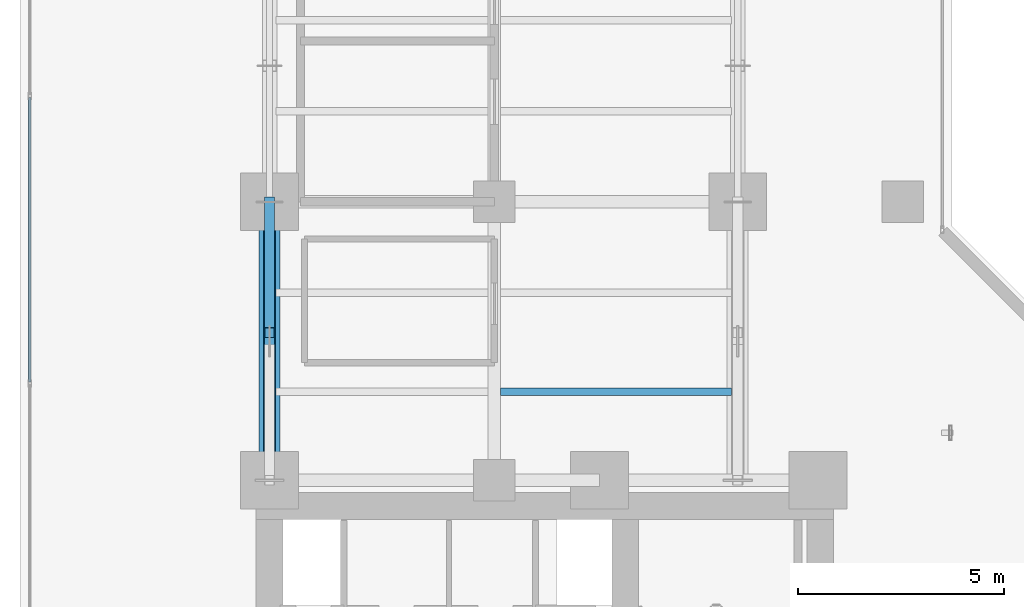
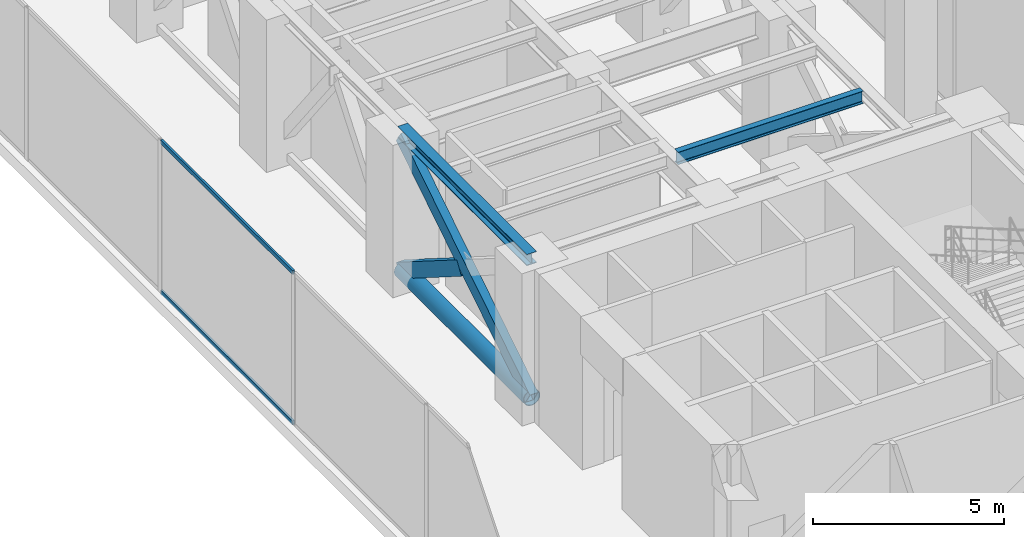
# One storey, part 9 of 37: 5 members, 2 beams, 1 element without a shape of its own.
"""IFC4 building model written with IfcOpenShell, lengths in metres."""

from ifc_helpers import new_model, si_unit, direction, frame, origin, origin_with_axes, origin_2d, place, context, subcontext, project, spatial, hollow_rectangle, hollow_circle, i_section, extrude, source, transform, mapped, material, layer, layer_set, material_profile, profile_set, type_object, element, aggregate, save


model = new_model("IFC4")

# Units and contexts
model_context = context("Model", 3, precision=1e-05, world=origin(), true_north=direction((0.0, 1.0)))
body_context = subcontext(model_context, "Body", "Model", "MODEL_VIEW")
ifc_project = project(units=[si_unit("LENGTHUNIT", "METRE"), si_unit("AREAUNIT", "SQUARE_METRE"), si_unit("VOLUMEUNIT", "CUBIC_METRE"), si_unit("PLANEANGLEUNIT", "RADIAN"), si_unit("MASSUNIT", "GRAM", prefix="KILO")], contexts=[model_context])

# Site, building, storey
site_placement = place(None, origin())
site = spatial("IfcSite", under=ifc_project, at=site_placement, CompositionType="ELEMENT")
building_placement = place(site_placement, origin())
building = spatial("IfcBuilding", under=site, at=building_placement, Name="Kolvaren Waterfront Exchange", CompositionType="ELEMENT")
storey_placement = place(building_placement, frame((0.0, 0.0, 141.10009765625)))
storey = spatial("IfcBuildingStorey", under=building, at=storey_placement, Name="L36", CompositionType="ELEMENT", Elevation=141.10009765625)

# Beams
ifc_material_1 = material(Name="Steel S355", Category="steel")
ifc_material_profile_1 = material_profile(ifc_material_1, i_section(OverallWidth=0.300048828125, OverallDepth=0.360107421875, WebThickness=0.012451171875, FlangeThickness=0.0224609375, FilletRadius=0.027099609375, at=origin_2d()), Name="HEB360")
ifc_profile_set_1 = profile_set([ifc_material_profile_1], Name="Steel S355")
beam_type_1 = type_object("IfcBeamType", Name="STR-BM-HEB360", PredefinedType="SPANDREL", material=ifc_profile_set_1)
beam_1_placement = place(storey_placement, frame((7.449951171875, 24.449951171875, 4.679931640625), z_axis=(0.0, 1.0, 0.0), x_axis=(-1.0, 0.0, 0.0)))
element("IfcBeam", 1, at=beam_1_placement, inside=storey, type_object=beam_type_1, Name="L36 north-arm edge beam 1", PredefinedType="SPANDREL", context=body_context, shape_type="SweptSolid", body=[
    extrude(i_section(OverallWidth=0.300048828125, OverallDepth=0.360107421875, WebThickness=0.012451171875, FlangeThickness=0.0224609375, FilletRadius=0.027099609375, at=origin_2d()), origin(), (0.0, 0.0, 1.0), 6.75),
])
ifc_material_profile_2 = material_profile(ifc_material_1, i_section(OverallWidth=0.179931640625, OverallDepth=0.39990234375, WebThickness=0.008544921875, FlangeThickness=0.013427734375, FilletRadius=0.02099609375, at=origin_2d()), Name="IPE400")
ifc_profile_set_2 = profile_set([ifc_material_profile_2], Name="Steel S355")
beam_type_2 = type_object("IfcBeamType", Name="STR-BM-IPE400", PredefinedType="JOIST", material=ifc_profile_set_2)
beam_2_placement = place(storey_placement, frame((13.052001953125, 26.60009765625, 4.659912109375), z_axis=(1.0, 0.0, 0.0), x_axis=(0.0, 1.0, 0.0)))
element("IfcBeam", 2, at=beam_2_placement, inside=storey, type_object=beam_type_2, Name="L36 north-arm composite joist 1B", PredefinedType="JOIST", context=body_context, shape_type="SweptSolid", body=[
    extrude(i_section(OverallWidth=0.179931640625, OverallDepth=0.39990234375, WebThickness=0.008544921875, FlangeThickness=0.013427734375, FilletRadius=0.02099609375, at=origin_2d()), origin(), (0.0, 0.0, 1.0), 5.595947265625),
])

# Members
ifc_material_2 = material(Name="Steel S460", Category="steel")
ifc_material_profile_3 = material_profile(ifc_material_2, hollow_circle(Radius=0.25390625, WallThickness=0.02001953125, at=origin_2d()), Name="CHS508x20")
ifc_profile_set_3 = profile_set([ifc_material_profile_3], Name="Steel S460")
member_type_1 = type_object("IfcMemberType", Name="STR-BR-CHS508", PredefinedType="CHORD", material=ifc_profile_set_3)
member_1_placement = place(storey_placement, frame((7.449951171875, 24.449951171875, 0.25), z_axis=(0.0, 1.0, 0.0), x_axis=(-1.0, 0.0, 0.0)))
element("IfcMember", 3, at=member_1_placement, inside=storey, type_object=member_type_1, Name="L36 outrigger bottom chord OA3", PredefinedType="CHORD", context=body_context, shape_type="SweptSolid", body=[
    extrude(hollow_circle(Radius=0.25390625, WallThickness=0.02001953125, at=origin_2d()), origin(), (0.0, 0.0, 1.0), 6.75),
])
ifc_material_profile_4 = material_profile(ifc_material_2, hollow_rectangle(XDim=0.25, YDim=0.449951171875, WallThickness=0.01611328125, at=origin_2d()), Name="RHS450x250x16")
ifc_profile_set_4 = profile_set([ifc_material_profile_4], Name="Steel S460")
member_type_2 = type_object("IfcMemberType", Name="STR-BR-RHS450", PredefinedType="BRACE", material=ifc_profile_set_4)
member_2_placement = place(storey_placement, frame((7.449951171875, 24.449951171875, 0.25), z_axis=(0.0, 0.845666926357, 0.533711016999), x_axis=(-1.0, 0.0, 0.0)))
element("IfcMember", 4, at=member_2_placement, inside=storey, type_object=member_type_2, Name="L36 outrigger diagonal OA3.1", PredefinedType="BRACE", context=body_context, shape_type="SweptSolid", body=[
    extrude(hollow_rectangle(XDim=0.25, YDim=0.449951171875, WallThickness=0.01611328125, at=origin_2d()), origin(), (0.0, 0.0, 1.0), 7.98193359375),
])
member_3_placement = place(storey_placement, frame((7.449951171875, 31.199951171875, 0.25), z_axis=(0.0, -0.845679099326, 0.5336917284), x_axis=(1.0, 0.0, 0.0)))
element("IfcMember", 5, at=member_3_placement, inside=storey, type_object=member_type_2, Name="L36 outrigger split diagonal OA3.2A", PredefinedType="BRACE", context=body_context, shape_type="SweptSolid", body=[
    extrude(hollow_rectangle(XDim=0.25, YDim=0.449951171875, WallThickness=0.01611328125, at=origin_2d()), origin(), (0.0, 0.0, 1.0), 3.750732421875),
])

# Curtain wall, members
ifc_material_3 = material(Name="Anodised dark bronze spandrel aluminium", Category="aluminium")
ifc_layer = layer(ifc_material_3, 0.219970703125, Name="Anodised dark bronze spandrel aluminium")
ifc_layer_set = layer_set([ifc_layer], Name="Anodised dark bronze spandrel aluminium")
curtain_wall_type = type_object("IfcCurtainWallType", Name="ARC-CW-SYS6", PredefinedType="USERDEFINED", material=ifc_layer_set)
curtain_wall_placement = place(storey_placement, origin())
curtain_wall = element("IfcCurtainWall", 6, at=curtain_wall_placement, inside=storey, type_object=curtain_wall_type, Name="L36 stick curtain wall CW6 (CW-L36-W)", ObjectType="STICK CURTAIN WALL", PredefinedType="USERDEFINED")
ifc_material_4 = material(Name="Anodised bronze aluminium 6063-T6", Category="aluminium")
ifc_material_profile_5 = material_profile(ifc_material_4, hollow_rectangle(XDim=0.06494140625, YDim=0.1298828125, WallThickness=0.00390625, at=origin_2d()), Name="ALU-TRN-130x65x4")
ifc_profile_set_5 = profile_set([ifc_material_profile_5], Name="Anodised bronze aluminium 6063-T6")
member_type_3 = type_object("IfcMemberType", Name="ARC-CWT-130", PredefinedType="USERDEFINED", material=ifc_profile_set_5)
shared_shape = source(origin_with_axes(), body_context, "Body", "SweptSolid", [
    extrude(hollow_rectangle(XDim=0.06494140625, YDim=0.1298828125, WallThickness=0.00390625, at=origin_2d()), origin(), (0.0, 0.0, 1.0), 6.891845703125),
])
member_4_placement = place(storey_placement, frame((1.639892578125, 26.83740234375, 0.032470703125), z_axis=(0.0, 1.0, 0.0), x_axis=(-1.0, 0.0, 0.0)))
member_4 = element("IfcMember", 7, at=member_4_placement, type_object=member_type_3, Name="CW6 transom 4.1", ObjectType="TRANSOM", PredefinedType="USERDEFINED", context=body_context, shape_type="MappedRepresentation", body=[
    mapped(shared_shape, transform((0.0, 0.0, 0.0), x_axis=(1.0, 0.0, 0.0), y_axis=(0.0, 1.0, 0.0), z_axis=(0.0, 0.0, 1.0), scale=1.0)),
])
member_5_placement = place(storey_placement, frame((1.639892578125, 26.83740234375, 4.827392578125), z_axis=(0.0, 1.0, 0.0), x_axis=(-1.0, 0.0, 0.0)))
member_5 = element("IfcMember", 8, at=member_5_placement, type_object=member_type_3, Name="CW6 transom 4.2", ObjectType="TRANSOM", PredefinedType="USERDEFINED", context=body_context, shape_type="MappedRepresentation", body=[
    mapped(shared_shape, transform((0.0, 0.0, 0.0), x_axis=(1.0, 0.0, 0.0), y_axis=(0.0, 1.0, 0.0), z_axis=(0.0, 0.0, 1.0), scale=1.0)),
])
aggregate(curtain_wall, [member_4, member_5])

save(model, "model.ifc")
